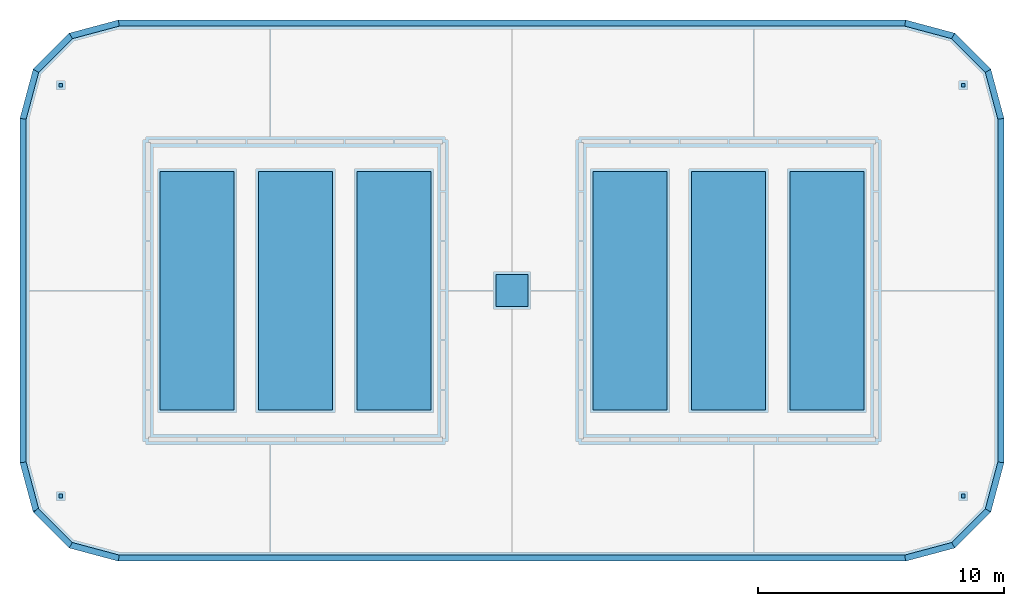
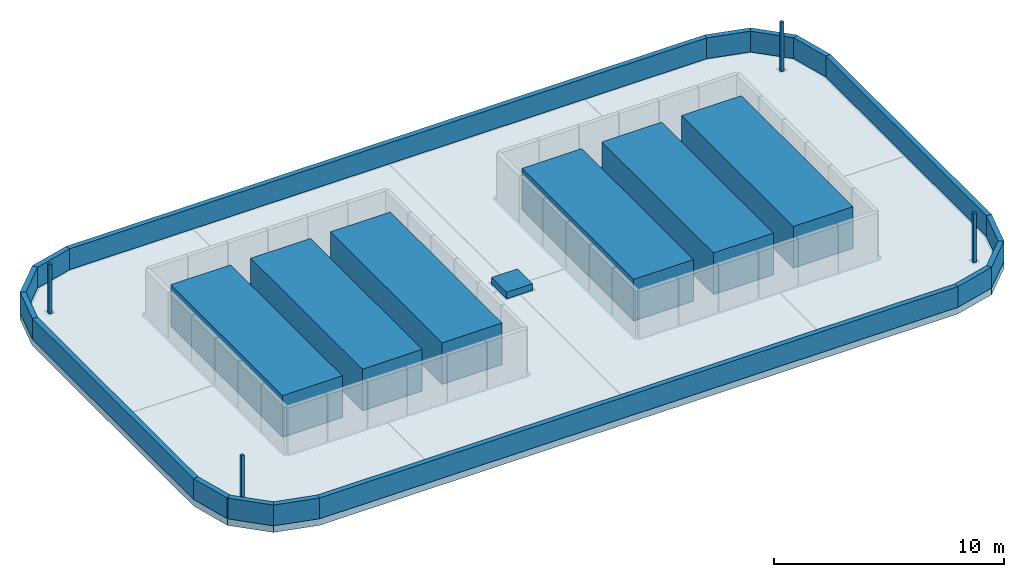
# One storey, part 1 of 2: 16 walls, 11 discrete accessories, 1 slab.
"""IFC4 building model written with IfcOpenShell, lengths in metres."""

from ifc_helpers import new_model, si_unit, direction, frame, origin, origin_2d, place, context, subcontext, project, spatial, polyline, rectangle, outline, extrude, material, layer, layer_set, type_object, element, save


model = new_model("IFC4")

# Units and contexts
model_context = context("Model", 3, precision=1e-05, world=origin(), true_north=direction((0.0, 1.0)))
body_context = subcontext(model_context, "Body", "Model", "MODEL_VIEW")
ifc_project = project(units=[si_unit("LENGTHUNIT", "METRE"), si_unit("AREAUNIT", "SQUARE_METRE"), si_unit("VOLUMEUNIT", "CUBIC_METRE"), si_unit("PLANEANGLEUNIT", "RADIAN"), si_unit("MASSUNIT", "GRAM", prefix="KILO")], contexts=[model_context])

# Site, building, storey
site_placement = place(None, origin())
site = spatial("IfcSite", under=ifc_project, at=site_placement, CompositionType="ELEMENT")
building_placement = place(site_placement, origin())
building = spatial("IfcBuilding", under=site, at=building_placement, Name="Kajstack Hotel Tower", CompositionType="ELEMENT")
storey_placement = place(building_placement, frame((0.0, 0.0, 334.300048828125)))
storey = spatial("IfcBuildingStorey", under=building, at=storey_placement, Name="ROOF", CompositionType="ELEMENT", Elevation=334.300048828125)

# Slab
ifc_material_1 = material(Name="Concrete C40/50", Category="concrete")
ifc_layer_1 = layer(ifc_material_1, 0.35009765625)
ifc_layer_set_1 = layer_set([ifc_layer_1], Name="RC slab 350 C40/50 roof")
slab_type = type_object("IfcSlabType", Name="RC slab 350 C40/50 roof", PredefinedType="ROOF", material=ifc_layer_set_1)
slab_placement = place(storey_placement, frame((0.0, 0.0, -0.35009765625)))
element("IfcSlab", 1, at=slab_placement, inside=storey, type_object=slab_type, Name="S-slab-ROOF", PredefinedType="ROOF", context=body_context, shape_type="SweptSolid", body=[
    extrude(outline(polyline([(-19.5, -7.5), (-18.964111328125, -9.5), (-17.5, -10.964111328125), (-15.5, -11.5), (16.5, -11.5), (18.5, -10.964111328125), (19.964111328125, -9.5), (20.5, -7.5), (20.5, 6.5), (19.964111328125, 8.5), (18.5, 9.964111328125), (16.5, 10.5), (-15.5, 10.5), (-17.5, 9.964111328125), (-18.964111328125, 8.5), (-19.5, 6.5), (-19.5, -7.5)]), holes=[polyline([(-0.050048828125, -1.050048828125), (-0.050048828125, 0.050048828125), (1.050048828125, 0.050048828125), (1.050048828125, -1.050048828125), (-0.050048828125, -1.050048828125)])]), origin(), (0.0, 0.0, 1.0), 0.35009765625),
])

# Walls
ifc_material_2 = material(Name="Zinc-clad block masonry", Category="masonry")
ifc_layer_2 = layer(ifc_material_2, 0.25)
ifc_layer_set_2 = layer_set([ifc_layer_2], Name="PARAPET-ZINC")
wall_type = type_object("IfcWallType", Name="PARAPET-ZINC", PredefinedType="PARAPET", material=ifc_layer_set_2)
wall_1_placement = place(storey_placement, origin())
element("IfcWall", 2, at=wall_1_placement, inside=storey, type_object=wall_type, Name="Roof parapet ROOF-01", PredefinedType="PARAPET", context=body_context, shape_type="SweptSolid", body=[
    extrude(outline(polyline([(-18.763671875, -9.346923828125), (-17.37060546875, -10.739990234375), (-17.5, -10.964111328125), (-18.9404296875, -9.523681640625), (-18.763671875, -9.346923828125)])), origin(), (0.0, 0.0, 1.0), 1.099853515625),
])
wall_2_placement = place(storey_placement, origin())
element("IfcWall", 3, at=wall_2_placement, inside=storey, type_object=wall_type, Name="Roof parapet ROOF-02", PredefinedType="PARAPET", context=body_context, shape_type="SweptSolid", body=[
    extrude(outline(polyline([(-17.37060546875, -10.739990234375), (-15.467041015625, -11.25), (-15.5, -11.5), (-17.5, -10.964111328125), (-17.37060546875, -10.739990234375)])), origin(), (0.0, 0.0, 1.0), 1.099853515625),
])
wall_3_placement = place(storey_placement, origin())
element("IfcWall", 4, at=wall_3_placement, inside=storey, type_object=wall_type, Name="Roof parapet ROOF-03", PredefinedType="PARAPET", context=body_context, shape_type="SweptSolid", body=[
    extrude(outline(polyline([(-15.467041015625, -11.25), (16.467041015625, -11.25), (16.5, -11.5), (-15.5, -11.5), (-15.467041015625, -11.25)])), origin(), (0.0, 0.0, 1.0), 1.099853515625),
])
wall_4_placement = place(storey_placement, origin())
element("IfcWall", 5, at=wall_4_placement, inside=storey, type_object=wall_type, Name="Roof parapet ROOF-04", PredefinedType="PARAPET", context=body_context, shape_type="SweptSolid", body=[
    extrude(outline(polyline([(16.467041015625, -11.25), (18.37060546875, -10.739990234375), (18.5, -10.964111328125), (16.5, -11.5), (16.467041015625, -11.25)])), origin(), (0.0, 0.0, 1.0), 1.099853515625),
])
wall_5_placement = place(storey_placement, origin())
element("IfcWall", 6, at=wall_5_placement, inside=storey, type_object=wall_type, Name="Roof parapet ROOF-05", PredefinedType="PARAPET", context=body_context, shape_type="SweptSolid", body=[
    extrude(outline(polyline([(18.37060546875, -10.739990234375), (19.739990234375, -9.37060546875), (19.964111328125, -9.5), (18.5, -10.964111328125), (18.37060546875, -10.739990234375)])), origin(), (0.0, 0.0, 1.0), 1.099853515625),
])
wall_6_placement = place(storey_placement, origin())
element("IfcWall", 7, at=wall_6_placement, inside=storey, type_object=wall_type, Name="Roof parapet ROOF-06", PredefinedType="PARAPET", context=body_context, shape_type="SweptSolid", body=[
    extrude(outline(polyline([(19.739990234375, -9.37060546875), (20.25, -7.467041015625), (20.5, -7.5), (19.964111328125, -9.5), (19.739990234375, -9.37060546875)])), origin(), (0.0, 0.0, 1.0), 1.099853515625),
])
wall_7_placement = place(storey_placement, origin())
element("IfcWall", 8, at=wall_7_placement, inside=storey, type_object=wall_type, Name="Roof parapet ROOF-07", PredefinedType="PARAPET", context=body_context, shape_type="SweptSolid", body=[
    extrude(outline(polyline([(20.25, -7.467041015625), (20.25, 6.467041015625), (20.5, 6.5), (20.5, -7.5), (20.25, -7.467041015625)])), origin(), (0.0, 0.0, 1.0), 1.099853515625),
])
wall_8_placement = place(storey_placement, origin())
element("IfcWall", 9, at=wall_8_placement, inside=storey, type_object=wall_type, Name="Roof parapet ROOF-08", PredefinedType="PARAPET", context=body_context, shape_type="SweptSolid", body=[
    extrude(outline(polyline([(20.25, 6.467041015625), (19.739990234375, 8.37060546875), (19.964111328125, 8.5), (20.5, 6.5), (20.25, 6.467041015625)])), origin(), (0.0, 0.0, 1.0), 1.099853515625),
])
wall_9_placement = place(storey_placement, origin())
element("IfcWall", 10, at=wall_9_placement, inside=storey, type_object=wall_type, Name="Roof parapet ROOF-09", PredefinedType="PARAPET", context=body_context, shape_type="SweptSolid", body=[
    extrude(outline(polyline([(19.739990234375, 8.37060546875), (18.37060546875, 9.739990234375), (18.5, 9.964111328125), (19.964111328125, 8.5), (19.739990234375, 8.37060546875)])), origin(), (0.0, 0.0, 1.0), 1.099853515625),
])
wall_10_placement = place(storey_placement, origin())
element("IfcWall", 11, at=wall_10_placement, inside=storey, type_object=wall_type, Name="Roof parapet ROOF-10", PredefinedType="PARAPET", context=body_context, shape_type="SweptSolid", body=[
    extrude(outline(polyline([(18.37060546875, 9.739990234375), (16.467041015625, 10.25), (16.5, 10.5), (18.5, 9.964111328125), (18.37060546875, 9.739990234375)])), origin(), (0.0, 0.0, 1.0), 1.099853515625),
])
wall_11_placement = place(storey_placement, origin())
element("IfcWall", 12, at=wall_11_placement, inside=storey, type_object=wall_type, Name="Roof parapet ROOF-11", PredefinedType="PARAPET", context=body_context, shape_type="SweptSolid", body=[
    extrude(outline(polyline([(16.467041015625, 10.25), (-15.467041015625, 10.25), (-15.5, 10.5), (16.5, 10.5), (16.467041015625, 10.25)])), origin(), (0.0, 0.0, 1.0), 1.099853515625),
])
wall_12_placement = place(storey_placement, origin())
element("IfcWall", 13, at=wall_12_placement, inside=storey, type_object=wall_type, Name="Roof parapet ROOF-12", PredefinedType="PARAPET", context=body_context, shape_type="SweptSolid", body=[
    extrude(outline(polyline([(-15.467041015625, 10.25), (-17.37060546875, 9.739990234375), (-17.5, 9.964111328125), (-15.5, 10.5), (-15.467041015625, 10.25)])), origin(), (0.0, 0.0, 1.0), 1.099853515625),
])
wall_13_placement = place(storey_placement, origin())
element("IfcWall", 14, at=wall_13_placement, inside=storey, type_object=wall_type, Name="Roof parapet ROOF-13", PredefinedType="PARAPET", context=body_context, shape_type="SweptSolid", body=[
    extrude(outline(polyline([(-17.37060546875, 9.739990234375), (-18.739990234375, 8.37060546875), (-18.964111328125, 8.5), (-17.5, 9.964111328125), (-17.37060546875, 9.739990234375)])), origin(), (0.0, 0.0, 1.0), 1.099853515625),
])
wall_14_placement = place(storey_placement, origin())
element("IfcWall", 15, at=wall_14_placement, inside=storey, type_object=wall_type, Name="Roof parapet ROOF-14", PredefinedType="PARAPET", context=body_context, shape_type="SweptSolid", body=[
    extrude(outline(polyline([(-18.739990234375, 8.37060546875), (-19.25, 6.467041015625), (-19.5, 6.5), (-18.964111328125, 8.5), (-18.739990234375, 8.37060546875)])), origin(), (0.0, 0.0, 1.0), 1.099853515625),
])
wall_15_placement = place(storey_placement, origin())
element("IfcWall", 16, at=wall_15_placement, inside=storey, type_object=wall_type, Name="Roof parapet ROOF-15", PredefinedType="PARAPET", context=body_context, shape_type="SweptSolid", body=[
    extrude(outline(polyline([(-19.25, 6.467041015625), (-19.25, -7.467041015625), (-19.5, -7.5), (-19.5, 6.5), (-19.25, 6.467041015625)])), origin(), (0.0, 0.0, 1.0), 1.099853515625),
])
wall_16_placement = place(storey_placement, origin())
element("IfcWall", 17, at=wall_16_placement, inside=storey, type_object=wall_type, Name="Roof parapet ROOF-16", PredefinedType="PARAPET", context=body_context, shape_type="SweptSolid", body=[
    extrude(outline(polyline([(-19.25, -7.467041015625), (-18.731201171875, -9.40283203125), (-18.97265625, -9.467529296875), (-19.5, -7.5), (-19.25, -7.467041015625)])), origin(), (0.0, 0.0, 1.0), 1.099853515625),
])

# Discrete accessories
ifc_material_3 = material(Name="Steel S355J2", Category="steel")
discrete_accessory_type_1 = type_object("IfcDiscreteAccessoryType", Name="AVIATION LIGHT POST", PredefinedType="USERDEFINED", material=ifc_material_3)
for number, where, z_axis, x_axis, name in (
    (18, (-17.843505859375, -8.85302734375, 0.0), (0.0, 0.0, 1.0), (1.0, 0.0, 0.0), "Obstruction light post 1"),
    (19, (18.843505859375, -8.85302734375, 0.0), (0.0, 0.0, 1.0), (1.0, 0.0, 0.0), "Obstruction light post 2"),
    (20, (18.843505859375, 7.85302734375, 0.0), (0.0, 0.0, 1.0), (1.0, 0.0, 0.0), "Obstruction light post 3"),
    (21, (-17.843505859375, 7.85302734375, 0.0), (0.0, 0.0, 1.0), (1.0, 0.0, 0.0), "Obstruction light post 4"),
):
    element("IfcDiscreteAccessory", number, at=place(storey_placement, frame(where, z_axis=z_axis, x_axis=x_axis)), inside=storey, type_object=discrete_accessory_type_1, Name=name, ObjectType="OBSTRUCTION LIGHT POST", PredefinedType="USERDEFINED", context=body_context, shape_type="SweptSolid", body=[
        extrude(rectangle(XDim=0.14990234375, YDim=0.14990234375, at=origin_2d()), origin(), (0.0, 0.0, 1.0), 2.60009765625),
    ])
discrete_accessory_type_2 = type_object("IfcDiscreteAccessoryType", Name="ROOF ACCESS HATCH", PredefinedType="USERDEFINED", material=ifc_material_3)
discrete_accessory_placement = place(storey_placement, frame((0.5, -0.5, 0.0), z_axis=(0.0, 0.0, 1.0), x_axis=(1.0, 0.0, 0.0)))
element("IfcDiscreteAccessory", 22, at=discrete_accessory_placement, inside=storey, type_object=discrete_accessory_type_2, Name="Roof access hatch ROOF", ObjectType="ROOF ACCESS HATCH", PredefinedType="USERDEFINED", context=body_context, shape_type="SweptSolid", body=[
    extrude(rectangle(XDim=1.300048828125, YDim=1.300048828125, at=origin_2d()), origin(), (0.0, 0.0, 1.0), 0.35009765625),
])
discrete_accessory_type_3 = type_object("IfcDiscreteAccessoryType", Name="ROOF PLANT UNIT", PredefinedType="USERDEFINED", material=ifc_material_3)
for number, where, z_axis, x_axis, name in (
    (23, (-12.300048828125, -0.5, 0.0), (0.0, 0.0, 1.0), (1.0, 0.0, 0.0), "Roof plant unit 01"),
    (24, (-8.300048828125, -0.5, 0.0), (0.0, 0.0, 1.0), (1.0, 0.0, 0.0), "Roof plant unit 02"),
    (25, (-4.300048828125, -0.5, 0.0), (0.0, 0.0, 1.0), (1.0, 0.0, 0.0), "Roof plant unit 03"),
    (26, (5.300048828125, -0.5, 0.0), (0.0, 0.0, 1.0), (1.0, 0.0, 0.0), "Roof plant unit 04"),
    (27, (9.300048828125, -0.5, 0.0), (0.0, 0.0, 1.0), (1.0, 0.0, 0.0), "Roof plant unit 05"),
    (28, (13.300048828125, -0.5, 0.0), (0.0, 0.0, 1.0), (1.0, 0.0, 0.0), "Roof plant unit 06"),
):
    element("IfcDiscreteAccessory", number, at=place(storey_placement, frame(where, z_axis=z_axis, x_axis=x_axis)), inside=storey, type_object=discrete_accessory_type_3, Name=name, ObjectType="ROOF PLANT UNIT", PredefinedType="USERDEFINED", context=body_context, shape_type="SweptSolid", body=[
        extrude(rectangle(XDim=3.0, YDim=9.699951171875, at=origin_2d()), origin(), (0.0, 0.0, 1.0), 2.199951171875),
    ])

save(model, "model.ifc")
